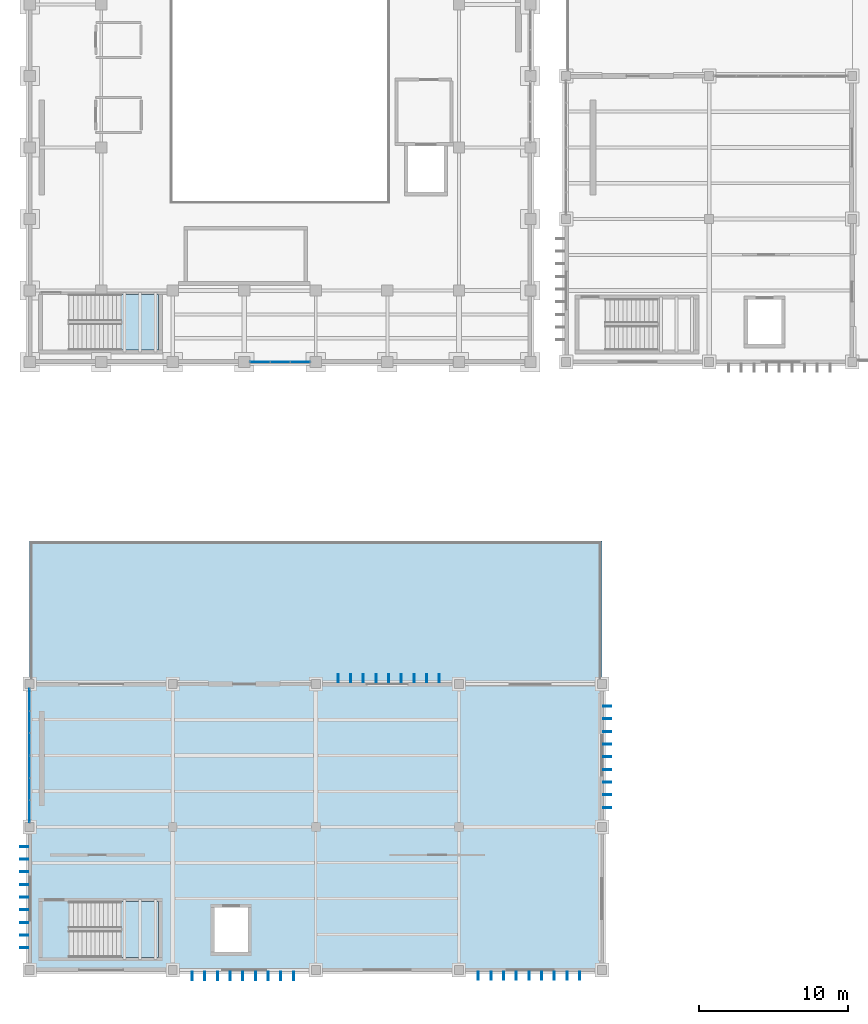
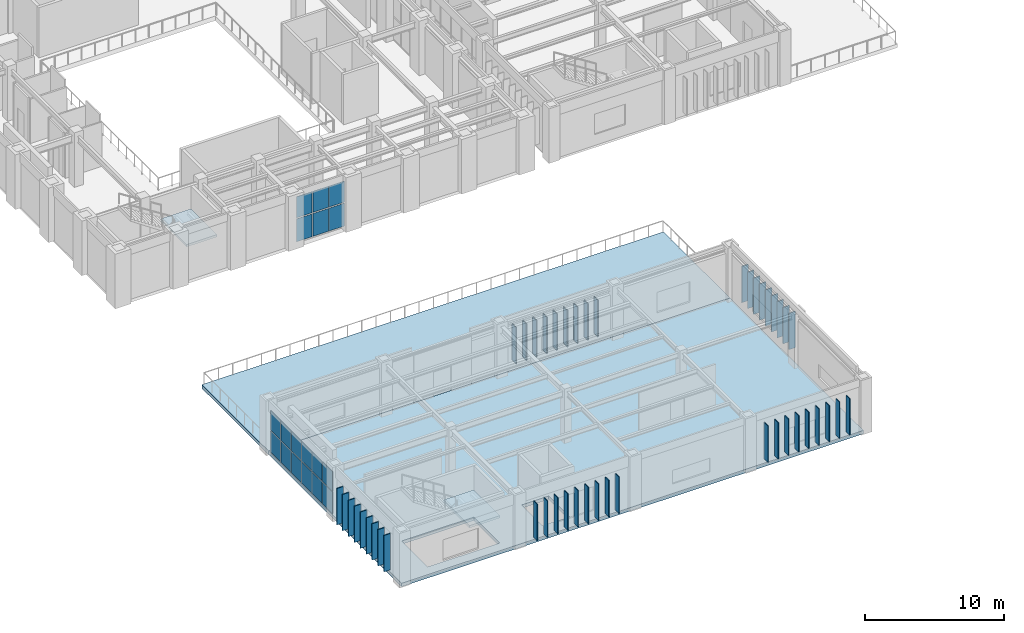
# One storey, part 47 of 83: 63 plates, 4 slabs, 4 elements without a shape of their own.
"""IFC4 building model written with IfcOpenShell, lengths in metres."""

from ifc_helpers import new_model, si_unit, direction, frame, origin, origin_2d, place, context, subcontext, project, spatial, polyline, rectangle, outline, extrude, material, layer, layer_set, type_object, element, aggregate, save


model = new_model("IFC4")

# Units and contexts
model_context = context("Model", 3, precision=1e-05, world=origin(), true_north=direction((0.0, 1.0)))
body_context = subcontext(model_context, "Body", "Model", "MODEL_VIEW")
ifc_project = project(units=[si_unit("LENGTHUNIT", "METRE"), si_unit("AREAUNIT", "SQUARE_METRE"), si_unit("VOLUMEUNIT", "CUBIC_METRE"), si_unit("PLANEANGLEUNIT", "RADIAN"), si_unit("MASSUNIT", "GRAM", prefix="KILO")], contexts=[model_context])

# Site, building, storey
site_placement = place(None, origin())
site = spatial("IfcSite", under=ifc_project, at=site_placement, CompositionType="ELEMENT")
building_placement = place(site_placement, origin())
building = spatial("IfcBuilding", under=site, at=building_placement, Name="Mavantir Sound Aquarium", CompositionType="ELEMENT")
storey_placement = place(building_placement, frame((0.0, 0.0, 10.5)))
storey = spatial("IfcBuildingStorey", under=building, at=storey_placement, Name="L02", CompositionType="ELEMENT", Elevation=10.5)

# Curtain wall, plates
ifc_material_1 = material(Name="Anodised Marine Aluminium and Low-E Glass", Category="aluminium")
curtain_wall_type_1 = type_object("IfcCurtainWallType", Name="CW-T07", PredefinedType="USERDEFINED", material=ifc_material_1)
curtain_wall_1_placement = place(storey_placement, origin())
curtain_wall_1 = element("IfcCurtainWall", 1, at=curtain_wall_1_placement, inside=storey, type_object=curtain_wall_type_1, Name="L02 unitised curtain wall CW-07 127", ObjectType="UNITISED GLAZING", PredefinedType="USERDEFINED")
ifc_material_2 = material(Name="Solar-Control Laminated Low-E Glass", Category="glass")
ifc_layer_1 = layer(ifc_material_2, 0.028076171875, Name="Solar-Control Laminated Low-E Glass")
ifc_layer_set_1 = layer_set([ifc_layer_1], Name="Solar-Control Laminated Low-E Glass")
plate_type_1 = type_object("IfcPlateType", Name="CW-PNL-28", PredefinedType="CURTAIN_PANEL", material=ifc_layer_set_1)
plate_1_placement = place(storey_placement, frame((0.0, 18.143310546875, 0.10302734375), z_axis=(0.0, 0.0, 1.0), x_axis=(0.0, -1.0, 0.0)))
plate_1 = element("IfcPlate", 2, at=plate_1_placement, type_object=plate_type_1, Name="CW-L02-127 glazed curtain panel 1.1", PredefinedType="CURTAIN_PANEL", context=body_context, shape_type="SweptSolid", body=[
    extrude(rectangle(XDim=1.44921875, YDim=0.028076171875, at=origin_2d()), origin(), (0.0, 0.0, 1.0), 1.863525390625),
])
plate_2_placement = place(storey_placement, frame((0.0, 18.143310546875, 2.0625), z_axis=(0.0, 0.0, 1.0), x_axis=(0.0, -1.0, 0.0)))
plate_2 = element("IfcPlate", 3, at=plate_2_placement, type_object=plate_type_1, Name="CW-L02-127 glazed curtain panel 1.2", PredefinedType="CURTAIN_PANEL", context=body_context, shape_type="SweptSolid", body=[
    extrude(rectangle(XDim=1.44921875, YDim=0.028076171875, at=origin_2d()), origin(), (0.0, 0.0, 1.0), 1.70849609375),
])
plate_3_placement = place(storey_placement, frame((0.0, 16.64599609375, 0.10302734375), z_axis=(0.0, 0.0, 1.0), x_axis=(0.0, -1.0, 0.0)))
plate_3 = element("IfcPlate", 4, at=plate_3_placement, type_object=plate_type_1, Name="CW-L02-127 glazed curtain panel 2.1", PredefinedType="CURTAIN_PANEL", context=body_context, shape_type="SweptSolid", body=[
    extrude(rectangle(XDim=1.44921875, YDim=0.028076171875, at=origin_2d()), origin(), (0.0, 0.0, 1.0), 1.863525390625),
])
plate_4_placement = place(storey_placement, frame((0.0, 16.64599609375, 2.0625), z_axis=(0.0, 0.0, 1.0), x_axis=(0.0, -1.0, 0.0)))
plate_4 = element("IfcPlate", 5, at=plate_4_placement, type_object=plate_type_1, Name="CW-L02-127 glazed curtain panel 2.2", PredefinedType="CURTAIN_PANEL", context=body_context, shape_type="SweptSolid", body=[
    extrude(rectangle(XDim=1.44921875, YDim=0.028076171875, at=origin_2d()), origin(), (0.0, 0.0, 1.0), 1.70849609375),
])
plate_5_placement = place(storey_placement, frame((0.0, 15.148681640625, 0.10302734375), z_axis=(0.0, 0.0, 1.0), x_axis=(0.0, -1.0, 0.0)))
plate_5 = element("IfcPlate", 6, at=plate_5_placement, type_object=plate_type_1, Name="CW-L02-127 glazed curtain panel 3.1", PredefinedType="CURTAIN_PANEL", context=body_context, shape_type="SweptSolid", body=[
    extrude(rectangle(XDim=1.44921875, YDim=0.028076171875, at=origin_2d()), origin(), (0.0, 0.0, 1.0), 1.863525390625),
])
plate_6_placement = place(storey_placement, frame((0.0, 15.148681640625, 2.0625), z_axis=(0.0, 0.0, 1.0), x_axis=(0.0, -1.0, 0.0)))
plate_6 = element("IfcPlate", 7, at=plate_6_placement, type_object=plate_type_1, Name="CW-L02-127 glazed curtain panel 3.2", PredefinedType="CURTAIN_PANEL", context=body_context, shape_type="SweptSolid", body=[
    extrude(rectangle(XDim=1.44921875, YDim=0.028076171875, at=origin_2d()), origin(), (0.0, 0.0, 1.0), 1.70849609375),
])
plate_7_placement = place(storey_placement, frame((0.0, 13.6513671875, 0.10302734375), z_axis=(0.0, 0.0, 1.0), x_axis=(0.0, -1.0, 0.0)))
plate_7 = element("IfcPlate", 8, at=plate_7_placement, type_object=plate_type_1, Name="CW-L02-127 glazed curtain panel 4.1", PredefinedType="CURTAIN_PANEL", context=body_context, shape_type="SweptSolid", body=[
    extrude(rectangle(XDim=1.44921875, YDim=0.028076171875, at=origin_2d()), origin(), (0.0, 0.0, 1.0), 1.863525390625),
])
plate_8_placement = place(storey_placement, frame((0.0, 13.6513671875, 2.0625), z_axis=(0.0, 0.0, 1.0), x_axis=(0.0, -1.0, 0.0)))
plate_8 = element("IfcPlate", 9, at=plate_8_placement, type_object=plate_type_1, Name="CW-L02-127 glazed curtain panel 4.2", PredefinedType="CURTAIN_PANEL", context=body_context, shape_type="SweptSolid", body=[
    extrude(rectangle(XDim=1.44921875, YDim=0.028076171875, at=origin_2d()), origin(), (0.0, 0.0, 1.0), 1.70849609375),
])
plate_9_placement = place(storey_placement, frame((0.0, 12.154052734375, 0.10302734375), z_axis=(0.0, 0.0, 1.0), x_axis=(0.0, -1.0, 0.0)))
plate_9 = element("IfcPlate", 10, at=plate_9_placement, type_object=plate_type_1, Name="CW-L02-127 glazed curtain panel 5.1", PredefinedType="CURTAIN_PANEL", context=body_context, shape_type="SweptSolid", body=[
    extrude(rectangle(XDim=1.44921875, YDim=0.028076171875, at=origin_2d()), origin(), (0.0, 0.0, 1.0), 1.863525390625),
])
plate_10_placement = place(storey_placement, frame((0.0, 12.154052734375, 2.0625), z_axis=(0.0, 0.0, 1.0), x_axis=(0.0, -1.0, 0.0)))
plate_10 = element("IfcPlate", 11, at=plate_10_placement, type_object=plate_type_1, Name="CW-L02-127 glazed curtain panel 5.2", PredefinedType="CURTAIN_PANEL", context=body_context, shape_type="SweptSolid", body=[
    extrude(rectangle(XDim=1.44921875, YDim=0.028076171875, at=origin_2d()), origin(), (0.0, 0.0, 1.0), 1.70849609375),
])
plate_11_placement = place(storey_placement, frame((0.0, 10.65673828125, 0.10302734375), z_axis=(0.0, 0.0, 1.0), x_axis=(0.0, -1.0, 0.0)))
plate_11 = element("IfcPlate", 12, at=plate_11_placement, type_object=plate_type_1, Name="CW-L02-127 glazed curtain panel 6.1", PredefinedType="CURTAIN_PANEL", context=body_context, shape_type="SweptSolid", body=[
    extrude(rectangle(XDim=1.44921875, YDim=0.028076171875, at=origin_2d()), origin(), (0.0, 0.0, 1.0), 1.863525390625),
])
plate_12_placement = place(storey_placement, frame((0.0, 10.65673828125, 2.0625), z_axis=(0.0, 0.0, 1.0), x_axis=(0.0, -1.0, 0.0)))
plate_12 = element("IfcPlate", 13, at=plate_12_placement, type_object=plate_type_1, Name="CW-L02-127 glazed curtain panel 6.2", PredefinedType="CURTAIN_PANEL", context=body_context, shape_type="SweptSolid", body=[
    extrude(rectangle(XDim=1.44921875, YDim=0.028076171875, at=origin_2d()), origin(), (0.0, 0.0, 1.0), 1.70849609375),
])
aggregate(curtain_wall_1, [plate_1, plate_2, plate_3, plate_4, plate_5, plate_6, plate_7, plate_8, plate_9, plate_10, plate_11, plate_12])

curtain_wall_type_2 = type_object("IfcCurtainWallType", Name="CW-T04", PredefinedType="USERDEFINED", material=ifc_material_1)
curtain_wall_2_placement = place(storey_placement, origin())
curtain_wall_2 = element("IfcCurtainWall", 14, at=curtain_wall_2_placement, inside=storey, type_object=curtain_wall_type_2, Name="L02 unitised curtain wall CW-04 124", ObjectType="UNITISED GLAZING", PredefinedType="USERDEFINED")
ifc_layer_2 = layer(ifc_material_2, 0.031982421875, Name="Solar-Control Laminated Low-E Glass")
ifc_layer_set_2 = layer_set([ifc_layer_2], Name="Solar-Control Laminated Low-E Glass")
plate_type_2 = type_object("IfcPlateType", Name="CW-PNL-32", PredefinedType="CURTAIN_PANEL", material=ifc_layer_set_2)
plate_13_placement = place(storey_placement, frame((15.455322265625, 40.800048828125, 0.10302734375), z_axis=(0.0, 0.0, 1.0), x_axis=(1.0, 0.0, 0.0)))
plate_13 = element("IfcPlate", 15, at=plate_13_placement, type_object=plate_type_2, Name="CW-L02-124 glazed curtain panel 1.1", PredefinedType="CURTAIN_PANEL", context=body_context, shape_type="SweptSolid", body=[
    extrude(rectangle(XDim=1.296630859375, YDim=0.031982421875, at=origin_2d()), origin(), (0.0, 0.0, 1.0), 2.013916015625),
])
plate_14_placement = place(storey_placement, frame((15.455322265625, 40.800048828125, 2.212890625), z_axis=(0.0, 0.0, 1.0), x_axis=(1.0, 0.0, 0.0)))
plate_14 = element("IfcPlate", 16, at=plate_14_placement, type_object=plate_type_2, Name="CW-L02-124 glazed curtain panel 1.2", PredefinedType="CURTAIN_PANEL", context=body_context, shape_type="SweptSolid", body=[
    extrude(rectangle(XDim=1.296630859375, YDim=0.031982421875, at=origin_2d()), origin(), (0.0, 0.0, 1.0), 1.84716796875),
])
plate_15_placement = place(storey_placement, frame((16.800048828125, 40.800048828125, 0.10302734375), z_axis=(0.0, 0.0, 1.0), x_axis=(1.0, 0.0, 0.0)))
plate_15 = element("IfcPlate", 17, at=plate_15_placement, type_object=plate_type_2, Name="CW-L02-124 glazed curtain panel 2.1", PredefinedType="CURTAIN_PANEL", context=body_context, shape_type="SweptSolid", body=[
    extrude(rectangle(XDim=1.296630859375, YDim=0.031982421875, at=origin_2d()), origin(), (0.0, 0.0, 1.0), 2.013916015625),
])
plate_16_placement = place(storey_placement, frame((16.800048828125, 40.800048828125, 2.212890625), z_axis=(0.0, 0.0, 1.0), x_axis=(1.0, 0.0, 0.0)))
plate_16 = element("IfcPlate", 18, at=plate_16_placement, type_object=plate_type_2, Name="CW-L02-124 glazed curtain panel 2.2", PredefinedType="CURTAIN_PANEL", context=body_context, shape_type="SweptSolid", body=[
    extrude(rectangle(XDim=1.296630859375, YDim=0.031982421875, at=origin_2d()), origin(), (0.0, 0.0, 1.0), 1.84716796875),
])
plate_17_placement = place(storey_placement, frame((18.144775390625, 40.800048828125, 0.10302734375), z_axis=(0.0, 0.0, 1.0), x_axis=(1.0, 0.0, 0.0)))
plate_17 = element("IfcPlate", 19, at=plate_17_placement, type_object=plate_type_2, Name="CW-L02-124 glazed curtain panel 3.1", PredefinedType="CURTAIN_PANEL", context=body_context, shape_type="SweptSolid", body=[
    extrude(rectangle(XDim=1.296630859375, YDim=0.031982421875, at=origin_2d()), origin(), (0.0, 0.0, 1.0), 2.013916015625),
])
plate_18_placement = place(storey_placement, frame((18.144775390625, 40.800048828125, 2.212890625), z_axis=(0.0, 0.0, 1.0), x_axis=(1.0, 0.0, 0.0)))
plate_18 = element("IfcPlate", 20, at=plate_18_placement, type_object=plate_type_2, Name="CW-L02-124 glazed curtain panel 3.2", PredefinedType="CURTAIN_PANEL", context=body_context, shape_type="SweptSolid", body=[
    extrude(rectangle(XDim=1.296630859375, YDim=0.031982421875, at=origin_2d()), origin(), (0.0, 0.0, 1.0), 1.84716796875),
])
aggregate(curtain_wall_2, [plate_13, plate_14, plate_15, plate_16, plate_17, plate_18])

# Plates
ifc_material_3 = material(Name="Coral-Limestone Composite Brise-Soleil Blade", Category="masonry")
ifc_layer_3 = layer(ifc_material_3, 0.06494140625, Name="Coral-Limestone Composite Brise-Soleil Blade")
ifc_layer_set_3 = layer_set([ifc_layer_3], Name="Coral-Limestone Composite Brise-Soleil Blade")
plate_type_3 = type_object("IfcPlateType", Name="PLT-FIN-520", PredefinedType="SHEET", material=ifc_layer_set_3)
for number, where, z_axis, x_axis, name in (
    (21, (38.760009765625, 10.907958984375, 0.46142578125), (0.0, 0.0, 1.0), (0.0, -1.0, 0.0), "Tropical coral-stone brise-soleil blade 134"),
    (22, (38.760009765625, 11.758056640625, 0.46142578125), (0.0, 0.0, 1.0), (0.0, -1.0, 0.0), "Tropical coral-stone brise-soleil blade 135"),
    (23, (38.760009765625, 12.60791015625, 0.46142578125), (0.0, 0.0, 1.0), (0.0, -1.0, 0.0), "Tropical coral-stone brise-soleil blade 136"),
    (24, (38.760009765625, 13.4580078125, 0.46142578125), (0.0, 0.0, 1.0), (0.0, -1.0, 0.0), "Tropical coral-stone brise-soleil blade 137"),
    (25, (38.760009765625, 14.30810546875, 0.46142578125), (0.0, 0.0, 1.0), (0.0, -1.0, 0.0), "Tropical coral-stone brise-soleil blade 138"),
    (26, (38.760009765625, 15.157958984375, 0.46142578125), (0.0, 0.0, 1.0), (0.0, -1.0, 0.0), "Tropical coral-stone brise-soleil blade 139"),
    (27, (38.760009765625, 16.008056640625, 0.46142578125), (0.0, 0.0, 1.0), (0.0, -1.0, 0.0), "Tropical coral-stone brise-soleil blade 140"),
    (28, (38.760009765625, 16.85791015625, 0.46142578125), (0.0, 0.0, 1.0), (0.0, -1.0, 0.0), "Tropical coral-stone brise-soleil blade 141"),
    (29, (38.760009765625, 17.7080078125, 0.46142578125), (0.0, 0.0, 1.0), (0.0, -1.0, 0.0), "Tropical coral-stone brise-soleil blade 142"),
    (30, (27.491943359375, 19.594970703125, 0.33740234375), (0.0, 0.0, 1.0), (1.0, 0.0, 0.0), "Tropical coral-stone brise-soleil blade 143"),
    (31, (26.64208984375, 19.594970703125, 0.33740234375), (0.0, 0.0, 1.0), (1.0, 0.0, 0.0), "Tropical coral-stone brise-soleil blade 144"),
    (32, (25.7919921875, 19.594970703125, 0.33740234375), (0.0, 0.0, 1.0), (1.0, 0.0, 0.0), "Tropical coral-stone brise-soleil blade 145"),
    (33, (24.94189453125, 19.594970703125, 0.33740234375), (0.0, 0.0, 1.0), (1.0, 0.0, 0.0), "Tropical coral-stone brise-soleil blade 146"),
    (34, (24.092041015625, 19.594970703125, 0.33740234375), (0.0, 0.0, 1.0), (1.0, 0.0, 0.0), "Tropical coral-stone brise-soleil blade 147"),
    (35, (23.241943359375, 19.594970703125, 0.33740234375), (0.0, 0.0, 1.0), (1.0, 0.0, 0.0), "Tropical coral-stone brise-soleil blade 148"),
    (36, (22.39208984375, 19.594970703125, 0.33740234375), (0.0, 0.0, 1.0), (1.0, 0.0, 0.0), "Tropical coral-stone brise-soleil blade 149"),
    (37, (21.5419921875, 19.594970703125, 0.33740234375), (0.0, 0.0, 1.0), (1.0, 0.0, 0.0), "Tropical coral-stone brise-soleil blade 150"),
    (38, (20.69189453125, 19.594970703125, 0.33740234375), (0.0, 0.0, 1.0), (1.0, 0.0, 0.0), "Tropical coral-stone brise-soleil blade 151"),
    (39, (-0.360107421875, 8.2919921875, 0.3369140625), (0.0, 0.0, 1.0), (0.0, 1.0, 0.0), "Tropical coral-stone brise-soleil blade 152"),
    (40, (-0.360107421875, 7.44189453125, 0.3369140625), (0.0, 0.0, 1.0), (0.0, 1.0, 0.0), "Tropical coral-stone brise-soleil blade 153"),
    (41, (-0.360107421875, 6.592041015625, 0.3369140625), (0.0, 0.0, 1.0), (0.0, 1.0, 0.0), "Tropical coral-stone brise-soleil blade 154"),
    (42, (-0.360107421875, 5.741943359375, 0.3369140625), (0.0, 0.0, 1.0), (0.0, 1.0, 0.0), "Tropical coral-stone brise-soleil blade 155"),
    (43, (-0.360107421875, 4.89208984375, 0.3369140625), (0.0, 0.0, 1.0), (0.0, 1.0, 0.0), "Tropical coral-stone brise-soleil blade 156"),
    (44, (-0.360107421875, 4.0419921875, 0.3369140625), (0.0, 0.0, 1.0), (0.0, 1.0, 0.0), "Tropical coral-stone brise-soleil blade 157"),
    (45, (-0.360107421875, 3.19189453125, 0.3369140625), (0.0, 0.0, 1.0), (0.0, 1.0, 0.0), "Tropical coral-stone brise-soleil blade 158"),
    (46, (-0.360107421875, 2.342041015625, 0.3369140625), (0.0, 0.0, 1.0), (0.0, 1.0, 0.0), "Tropical coral-stone brise-soleil blade 159"),
    (47, (-0.360107421875, 1.491943359375, 0.3369140625), (0.0, 0.0, 1.0), (0.0, 1.0, 0.0), "Tropical coral-stone brise-soleil blade 160"),
    (48, (10.907958984375, -0.39501953125, 0.33740234375), (0.0, 0.0, 1.0), (-1.0, 0.0, 0.0), "Tropical coral-stone brise-soleil blade 161"),
    (49, (11.758056640625, -0.39501953125, 0.33740234375), (0.0, 0.0, 1.0), (-1.0, 0.0, 0.0), "Tropical coral-stone brise-soleil blade 162"),
    (50, (12.60791015625, -0.39501953125, 0.33740234375), (0.0, 0.0, 1.0), (-1.0, 0.0, 0.0), "Tropical coral-stone brise-soleil blade 163"),
    (51, (13.4580078125, -0.39501953125, 0.33740234375), (0.0, 0.0, 1.0), (-1.0, 0.0, 0.0), "Tropical coral-stone brise-soleil blade 164"),
    (52, (14.30810546875, -0.39501953125, 0.33740234375), (0.0, 0.0, 1.0), (-1.0, 0.0, 0.0), "Tropical coral-stone brise-soleil blade 165"),
    (53, (15.157958984375, -0.39501953125, 0.33740234375), (0.0, 0.0, 1.0), (-1.0, 0.0, 0.0), "Tropical coral-stone brise-soleil blade 166"),
    (54, (16.008056640625, -0.39501953125, 0.33740234375), (0.0, 0.0, 1.0), (-1.0, 0.0, 0.0), "Tropical coral-stone brise-soleil blade 167"),
    (55, (16.85791015625, -0.39501953125, 0.33740234375), (0.0, 0.0, 1.0), (-1.0, 0.0, 0.0), "Tropical coral-stone brise-soleil blade 168"),
    (56, (17.7080078125, -0.39501953125, 0.33740234375), (0.0, 0.0, 1.0), (-1.0, 0.0, 0.0), "Tropical coral-stone brise-soleil blade 169"),
    (57, (30.10791015625, -0.375, 0.4892578125), (0.0, 0.0, 1.0), (-1.0, 0.0, 0.0), "Tropical coral-stone brise-soleil blade 170"),
    (58, (30.9580078125, -0.375, 0.4892578125), (0.0, 0.0, 1.0), (-1.0, 0.0, 0.0), "Tropical coral-stone brise-soleil blade 171"),
    (59, (31.80810546875, -0.375, 0.4892578125), (0.0, 0.0, 1.0), (-1.0, 0.0, 0.0), "Tropical coral-stone brise-soleil blade 172"),
    (60, (32.657958984375, -0.375, 0.4892578125), (0.0, 0.0, 1.0), (-1.0, 0.0, 0.0), "Tropical coral-stone brise-soleil blade 173"),
    (61, (33.508056640625, -0.375, 0.4892578125), (0.0, 0.0, 1.0), (-1.0, 0.0, 0.0), "Tropical coral-stone brise-soleil blade 174"),
    (62, (34.35791015625, -0.375, 0.4892578125), (0.0, 0.0, 1.0), (-1.0, 0.0, 0.0), "Tropical coral-stone brise-soleil blade 175"),
    (63, (35.2080078125, -0.375, 0.4892578125), (0.0, 0.0, 1.0), (-1.0, 0.0, 0.0), "Tropical coral-stone brise-soleil blade 176"),
    (64, (36.05810546875, -0.375, 0.4892578125), (0.0, 0.0, 1.0), (-1.0, 0.0, 0.0), "Tropical coral-stone brise-soleil blade 177"),
    (65, (36.907958984375, -0.375, 0.4892578125), (0.0, 0.0, 1.0), (-1.0, 0.0, 0.0), "Tropical coral-stone brise-soleil blade 178"),
):
    element("IfcPlate", number, at=place(storey_placement, frame(where, z_axis=z_axis, x_axis=x_axis)), inside=storey, type_object=plate_type_3, Name=name, PredefinedType="SHEET", context=body_context, shape_type="SweptSolid", body=[
        extrude(rectangle(XDim=0.06494140625, YDim=0.5400390625, at=origin_2d()), origin(), (0.0, 0.0, 1.0), 3.199951171875),
    ])

# Slab
ifc_material_4 = material(Name="Concrete C40/50", Category="concrete")
ifc_layer_4 = layer(ifc_material_4, 0.300048828125, Name="Concrete C40/50")
ifc_layer_set_4 = layer_set([ifc_layer_4], Name="Concrete C40/50")
slab_type_1 = type_object("IfcSlabType", Name="SLB-FS-03", PredefinedType="FLOOR", material=ifc_layer_set_4)
slab_1_placement = place(storey_placement, frame((0.0, 0.0, -0.300048828125)))
element("IfcSlab", 66, at=slab_1_placement, inside=storey, type_object=slab_type_1, Name="L02 structural slab FS-03 (V3)", PredefinedType="FLOOR", context=body_context, shape_type="SweptSolid", body=[
    extrude(outline(polyline([(38.39990234375, 0.0), (38.39990234375, 19.199951171875), (0.0, 19.199951171875), (0.0, 0.0), (38.39990234375, 0.0)]), holes=[polyline([(2.64990234375, 0.85009765625), (8.64990234375, 0.85009765625), (8.64990234375, 4.60009765625), (2.64990234375, 4.60009765625), (2.64990234375, 0.85009765625)]), polyline([(12.39990234375, 1.199951171875), (14.64990234375, 1.199951171875), (14.64990234375, 4.199951171875), (12.39990234375, 4.199951171875), (12.39990234375, 1.199951171875)])]), origin(), (0.0, 0.0, 1.0), 0.300048828125),
])

# Stair, slab
stair_type = type_object("IfcStairType", Name="STR-1800-4800", PredefinedType="HALF_TURN_STAIR", material=ifc_material_4)
stair_1_placement = place(storey_placement, origin())
stair_1 = element("IfcStair", 67, at=stair_1_placement, inside=storey, type_object=stair_type, Name="L02 Protected exit stair ST1", PredefinedType="HALF_TURN_STAIR")
ifc_layer_5 = layer(ifc_material_4, 0.199951171875, Name="Concrete C40/50")
ifc_layer_set_5 = layer_set([ifc_layer_5], Name="Concrete C40/50")
slab_type_2 = type_object("IfcSlabType", Name="SLB-LND-360", PredefinedType="LANDING", material=ifc_layer_set_5)
slab_2_placement = place(storey_placement, frame((0.0, 0.0, 2.199951171875)))
slab_2 = element("IfcSlab", 68, at=slab_2_placement, type_object=slab_type_2, Name="ST1 landing 1", PredefinedType="LANDING", context=body_context, shape_type="SweptSolid", body=[
    extrude(outline(polyline([(6.1298828125, 41.60009765625), (8.64990234375, 41.60009765625), (8.64990234375, 45.35009765625), (6.1298828125, 45.35009765625), (6.1298828125, 41.60009765625)])), origin(), (0.0, 0.0, 1.0), 0.199951171875),
])
aggregate(stair_1, [slab_2])

stair_2_placement = place(storey_placement, origin())
stair_2 = element("IfcStair", 69, at=stair_2_placement, inside=storey, type_object=stair_type, Name="L02 Protected exit stair ST3", PredefinedType="HALF_TURN_STAIR")
slab_3_placement = place(storey_placement, frame((0.0, 0.0, 2.199951171875)))
slab_3 = element("IfcSlab", 70, at=slab_3_placement, type_object=slab_type_2, Name="ST3 landing 1", PredefinedType="LANDING", context=body_context, shape_type="SweptSolid", body=[
    extrude(outline(polyline([(6.1298828125, 0.85009765625), (8.64990234375, 0.85009765625), (8.64990234375, 4.60009765625), (6.1298828125, 4.60009765625), (6.1298828125, 0.85009765625)])), origin(), (0.0, 0.0, 1.0), 0.199951171875),
])
aggregate(stair_2, [slab_3])

# Slab
ifc_layer_6 = layer(ifc_material_4, 0.320068359375, Name="Concrete C40/50")
ifc_layer_set_6 = layer_set([ifc_layer_6], Name="Concrete C40/50")
slab_type_3 = type_object("IfcSlabType", Name="SLB-TRS-01", PredefinedType="FLOOR", material=ifc_layer_set_6)
slab_4_placement = place(storey_placement, frame((0.0, 0.0, -0.320068359375)))
element("IfcSlab", 71, at=slab_4_placement, inside=storey, type_object=slab_type_3, Name="L02 outdoor terrace slab TRS-01", PredefinedType="FLOOR", context=body_context, shape_type="SweptSolid", body=[
    extrude(outline(polyline([(0.0, 19.199951171875), (38.39990234375, 19.199951171875), (38.39990234375, 28.800048828125), (0.0, 28.800048828125), (0.0, 19.199951171875)])), origin(), (0.0, 0.0, 1.0), 0.320068359375),
])

save(model, "model.ifc")
